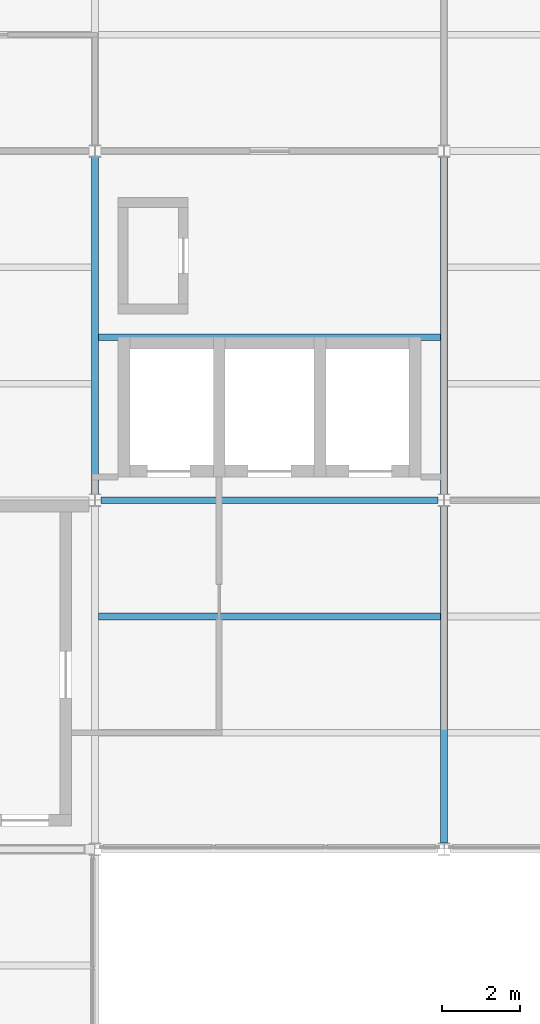
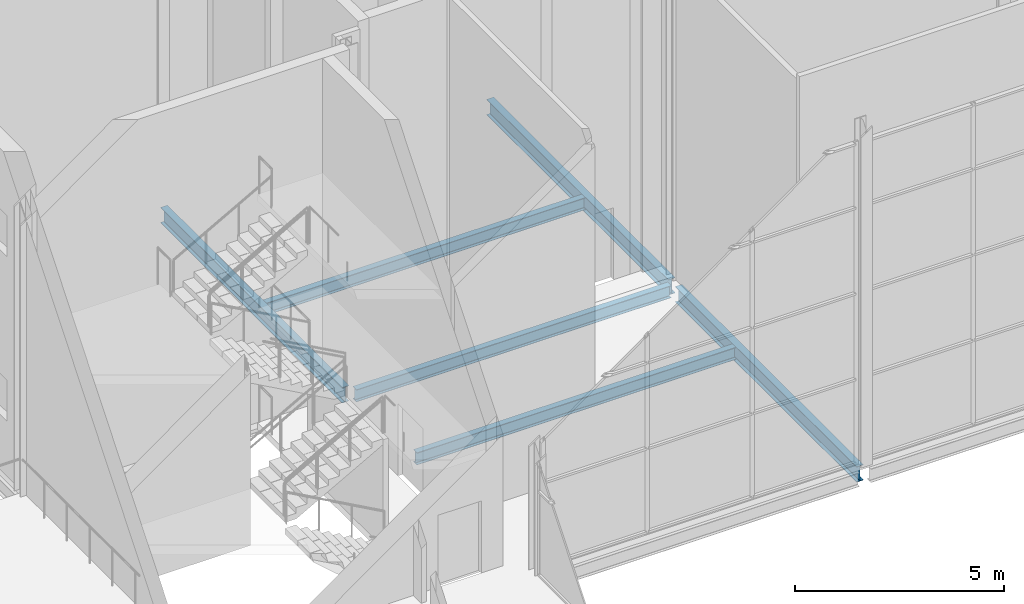
# One storey, part 43 of 111: 6 beams.
"""IFC4 building model written with IfcOpenShell, lengths in metres."""

import ifcopenshell
import ifcopenshell.guid

model = None  # the IFC model being written
_history = None  # IfcOwnerHistory: only IFC2X3 demands one
_inside = {}  # id of a spatial element -> (the spatial element, [elements in it])
_under = {}  # id of a project, library or spatial element -> (it, [spatial elements below it])
_declared = {}  # id of a project -> (the project, [libraries it declares])
_typed = {}  # id of a type object -> (the type object, [elements of that type])
_made_of = {}  # id of a material, layer set ... -> (it, [elements and type objects made of it])


def new_model(schema):
    """Start an empty IFC model of exactly this schema.

    Asked for "IFC4X3", IfcOpenShell would pick the latest addendum, in which some entities
    have other attributes; the version numbers below select the first issue.
    IFC2X3 requires an IfcOwnerHistory on every rooted entity: one is made here for all.
    """
    global model, _history
    if schema == "IFC4X3":
        model = ifcopenshell.file(schema_version=(4, 3, 0, 0))
    else:
        model = ifcopenshell.file(schema=schema)
    _inside.clear()
    _under.clear()
    _declared.clear()
    _typed.clear()
    _made_of.clear()
    _history = None
    if model.schema == "IFC2X3":
        org = make("IfcOrganization", Name="unknown")
        user = make(
            "IfcPersonAndOrganization",
            ThePerson=make("IfcPerson", FamilyName="unknown"),
            TheOrganization=org,
        )
        app = make(
            "IfcApplication",
            ApplicationDeveloper=org,
            Version="unknown",
            ApplicationFullName="unknown",
            ApplicationIdentifier="unknown",
        )
        _history = make(
            "IfcOwnerHistory",
            OwningUser=user,
            OwningApplication=app,
            ChangeAction="ADDED",
            CreationDate=0,
        )
    return model


def make(cls, **values):
    """One entity of the class cls with the attributes given. An attribute that is None is left unset."""
    return model.create_entity(
        cls, **{name: value for name, value in values.items() if value is not None}
    )


def rooted(cls, **values):
    """An entity with a GlobalId (a new one), such as an element, a storey or a relation."""
    return make(cls, GlobalId=ifcopenshell.guid.new(), OwnerHistory=_history, **values)


def si_unit(unit_type, name, prefix=None):
    """IfcSIUnit, for example si_unit("LENGTHUNIT", "METRE", prefix="MILLI")."""
    return make("IfcSIUnit", UnitType=unit_type, Prefix=prefix, Name=name)


def assignment(units):
    """IfcUnitAssignment: the units of a project."""
    return None if units is None else make("IfcUnitAssignment", Units=units)


def point(xyz):
    """IfcCartesianPoint."""
    return None if xyz is None else make("IfcCartesianPoint", Coordinates=xyz)


def direction(xyz):
    """IfcDirection."""
    return None if xyz is None else make("IfcDirection", DirectionRatios=xyz)


def frame(location, z_axis=None, x_axis=None):
    """IfcAxis2Placement3D, a coordinate frame: its origin and axes. An axis left out is left unset."""
    return make(
        "IfcAxis2Placement3D",
        Location=point(location),
        Axis=direction(z_axis),
        RefDirection=direction(x_axis),
    )


def frame_2d(location, x_axis=None):
    """IfcAxis2Placement2D, a coordinate frame in the plane: its origin and x axis."""
    return make(
        "IfcAxis2Placement2D", Location=point(location), RefDirection=direction(x_axis)
    )


def origin():
    """The frame at (0, 0, 0) with its axes left unset."""
    return frame((0.0, 0.0, 0.0))


def origin_2d():
    """The frame at (0, 0) in the plane with its x axis left unset."""
    return frame_2d((0.0, 0.0))


def place(relative_to, where):
    """IfcLocalPlacement: puts the frame where relative to a parent placement (None: the world)."""
    return make(
        "IfcLocalPlacement", PlacementRelTo=relative_to, RelativePlacement=where
    )


def context(
    kind, dimensions, precision=None, world=None, true_north=None, identifier=None
):
    """IfcGeometricRepresentationContext, for example the 3D "Model" context."""
    return make(
        "IfcGeometricRepresentationContext",
        ContextIdentifier=identifier,
        ContextType=kind,
        CoordinateSpaceDimension=dimensions,
        Precision=precision,
        WorldCoordinateSystem=world,
        TrueNorth=true_north,
    )


def subcontext(parent, identifier, kind, view, scale=None):
    """IfcGeometricRepresentationSubContext, for example "Body" below "Model"."""
    return make(
        "IfcGeometricRepresentationSubContext",
        ContextIdentifier=identifier,
        ContextType=kind,
        ParentContext=parent,
        TargetScale=scale,
        TargetView=view,
    )


def project(units=None, contexts=None):
    """IfcProject with its units and contexts."""
    return rooted(
        "IfcProject",
        Name="project",
        RepresentationContexts=contexts,
        UnitsInContext=assignment(units),
    )


def spatial(cls, under=None, at=None, **own):
    """A site, building, storey or space (cls), placed at a placement, below another one or the project."""
    s = rooted(cls, ObjectPlacement=at, **own)
    if under is not None:
        _under.setdefault(under.id(), (under, []))[1].append(s)
    return s


def profile(cls, at=None, kind="AREA", **sizes):
    """A parametric profile (cls). Its sizes go by their IFC names, for example OverallWidth=200.0."""
    return make(cls, ProfileType=kind, Position=at, **sizes)


def i_section(**sizes):
    """IfcIShapeProfileDef."""
    return profile("IfcIShapeProfileDef", **sizes)


def extrude(swept, where, along, depth):
    """IfcExtrudedAreaSolid: the profile swept, set in the frame where, extruded along a direction by depth."""
    return make(
        "IfcExtrudedAreaSolid",
        SweptArea=swept,
        Position=where,
        ExtrudedDirection=direction(along),
        Depth=depth,
    )


def shape(context_of_items, identifier, shape_type, items):
    """IfcShapeRepresentation: the items that make up one representation, for example the "Body"."""
    return make(
        "IfcShapeRepresentation",
        ContextOfItems=context_of_items,
        RepresentationIdentifier=identifier,
        RepresentationType=shape_type,
        Items=items,
    )


def material(Name=None, Category=None):
    """IfcMaterial."""
    return make("IfcMaterial", Name=Name, Category=Category)


def material_profile(
    of_material, cross_section, Name=None, Category=None, Priority=None
):
    """IfcMaterialProfile: a cross section and its material."""
    return make(
        "IfcMaterialProfile",
        Name=Name,
        Material=of_material,
        Profile=cross_section,
        Priority=Priority,
        Category=Category,
    )


def profile_set(profiles, Name=None, composite=None):
    """IfcMaterialProfileSet."""
    return make(
        "IfcMaterialProfileSet",
        Name=Name,
        MaterialProfiles=profiles,
        CompositeProfile=composite,
    )


def made_of(thing, what):
    """Note that an element or type object is made of a material, layer set ...; save() writes the relation."""
    if what is not None:
        _made_of.setdefault(what.id(), (what, []))[1].append(thing)
    return thing


def type_object(cls, material=None, **own):
    """A type object (cls), such as IfcWallType, which elements share."""
    return made_of(rooted(cls, **own), material)


def element(
    cls,
    number,
    at=None,
    inside=None,
    cuts=None,
    type_object=None,
    material=None,
    context=None,
    identifier="Body",
    shape_type=None,
    held_by="IfcProductDefinitionShape",
    body=None,
    shapes=None,
    **own,
):
    """One element of the class cls, such as IfcWall. Its Tag is "e" and its number.

    at: its placement. inside: the storey or other place that contains it. cuts: it is an
    opening in that element (IfcRelVoidsElement). A single representation is given by context,
    identifier, shape_type and body (its items); several are given by shapes. held_by: the class
    of the entity that holds the representations. save() writes the other relations.
    """
    e = rooted(cls, Tag="e%d" % number, ObjectPlacement=at, **own)
    if body is not None:
        shapes = [shape(context, identifier, shape_type, body)]
    if shapes is not None:
        e.Representation = make(held_by, Representations=shapes)
    if inside is not None:
        _inside.setdefault(inside.id(), (inside, []))[1].append(e)
    if cuts is not None:
        rooted(
            "IfcRelVoidsElement", RelatingBuildingElement=cuts, RelatedOpeningElement=e
        )
    if type_object is not None:
        _typed.setdefault(type_object.id(), (type_object, []))[1].append(e)
    return made_of(e, material)


def aggregate(whole, parts):
    """IfcRelAggregates: a whole, such as a stair, and the parts it consists of."""
    return rooted("IfcRelAggregates", RelatingObject=whole, RelatedObjects=parts)


def save(model, path):
    """Write the relations noted so far, then the file.

    IfcRelAggregates (storeys below a building ...), IfcRelContainedInSpatialStructure (elements
    in a storey), IfcRelDefinesByType, IfcRelAssociatesMaterial and IfcRelDeclares: one each for
    every whole, place, type object, material and project.
    """
    for whole, parts in _under.values():
        aggregate(whole, parts)
    for where, things in _inside.values():
        rooted(
            "IfcRelContainedInSpatialStructure",
            RelatedElements=things,
            RelatingStructure=where,
        )
    for kind, things in _typed.values():
        rooted("IfcRelDefinesByType", RelatedObjects=things, RelatingType=kind)
    for what, things in _made_of.values():
        rooted("IfcRelAssociatesMaterial", RelatedObjects=things, RelatingMaterial=what)
    for by, libraries in _declared.values():
        rooted("IfcRelDeclares", RelatingContext=by, RelatedDefinitions=libraries)
    model.write(path)


model = new_model("IFC4")

# Units and contexts
model_context = context("Model", 3, precision=1e-05, world=origin(), true_north=direction((0.0, 1.0)))
body_context = subcontext(model_context, "Body", "Model", "MODEL_VIEW")
ifc_project = project(units=[si_unit("LENGTHUNIT", "METRE"), si_unit("AREAUNIT", "SQUARE_METRE"), si_unit("VOLUMEUNIT", "CUBIC_METRE"), si_unit("PLANEANGLEUNIT", "RADIAN"), si_unit("MASSUNIT", "GRAM", prefix="KILO")], contexts=[model_context])

# Site, building, storey
site_placement = place(None, origin())
site = spatial("IfcSite", under=ifc_project, at=site_placement, CompositionType="ELEMENT")
building_placement = place(site_placement, origin())
building = spatial("IfcBuilding", under=site, at=building_placement, Name="Shorebreak Coast Museum", CompositionType="ELEMENT")
storey_placement = place(building_placement, frame((0.0, 0.0, 16.0)))
storey = spatial("IfcBuildingStorey", under=building, at=storey_placement, Name="L03", CompositionType="ELEMENT", Elevation=16.0)

# Beams
ifc_material_1 = material(Name="Steel Grade 300", Category="steel")
ifc_material_profile_1 = material_profile(ifc_material_1, i_section(OverallWidth=0.1708984375, OverallDepth=0.355712890625, WebThickness=0.00732421875, FlangeThickness=0.011474609375, FilletRadius=0.011474609375, at=origin_2d()), Name="360UB50.7")
ifc_profile_set_1 = profile_set([ifc_material_profile_1], Name="Steel Grade 300")
beam_type_1 = type_object("IfcBeamType", Name="Floor girder east-west 360UB50.7", PredefinedType="BEAM", material=ifc_profile_set_1)
beam_1_placement = place(storey_placement, frame((63.155517578125, 90.0, -0.352783203125), z_axis=(1.0, 0.0, 0.0), x_axis=(0.0, 1.0, 0.0)))
element("IfcBeam", 1, at=beam_1_placement, inside=storey, type_object=beam_type_1, Name="Floor girder east-west L03 8L", PredefinedType="BEAM", context=body_context, shape_type="SweptSolid", body=[
    extrude(i_section(OverallWidth=0.1708984375, OverallDepth=0.355712890625, WebThickness=0.00732421875, FlangeThickness=0.011474609375, FilletRadius=0.011474609375, at=origin_2d()), origin(), (0.0, 0.0, 1.0), 8.68896484375),
])
ifc_material_2 = material(Name="Steel Grade 300", Category="steel")
ifc_material_profile_2 = material_profile(ifc_material_2, i_section(OverallWidth=0.18994140625, OverallDepth=0.453857421875, WebThickness=0.008544921875, FlangeThickness=0.0126953125, FilletRadius=0.011474609375, at=origin_2d()), Name="460UB67.1")
ifc_profile_set_2 = profile_set([ifc_material_profile_2], Name="Steel Grade 300")
beam_type_2 = type_object("IfcBeamType", Name="Floor girder north-south 460UB67.1", PredefinedType="BEAM", material=ifc_profile_set_2)
beam_2_placement = place(storey_placement, frame((72.0, 81.16357421875, -0.40185546875), z_axis=(0.0, 1.0, 0.0), x_axis=(-1.0, 0.0, 0.0)))
element("IfcBeam", 2, at=beam_2_placement, inside=storey, type_object=beam_type_2, Name="Floor girder north-south L03 9K", PredefinedType="BEAM", context=body_context, shape_type="SweptSolid", body=[
    extrude(i_section(OverallWidth=0.18994140625, OverallDepth=0.453857421875, WebThickness=0.008544921875, FlangeThickness=0.0126953125, FilletRadius=0.011474609375, at=origin_2d()), origin(), (0.0, 0.0, 1.0), 8.6728515625),
])
for number, where, z_axis, x_axis, name in (
    (3, (63.0, 90.16357421875, -0.40185546875), (0.0, 1.0, 0.0), (-1.0, 0.0, 0.0), "Floor girder north-south L03 8L"),
    (4, (72.0, 90.16357421875, -0.40185546875), (0.0, 1.0, 0.0), (-1.0, 0.0, 0.0), "Floor girder north-south L03 9L"),
):
    element("IfcBeam", number, at=place(storey_placement, frame(where, z_axis=z_axis, x_axis=x_axis)), inside=storey, type_object=beam_type_2, Name=name, PredefinedType="BEAM", context=body_context, shape_type="SweptSolid", body=[
        extrude(i_section(OverallWidth=0.18994140625, OverallDepth=0.453857421875, WebThickness=0.008544921875, FlangeThickness=0.0126953125, FilletRadius=0.011474609375, at=origin_2d()), origin(), (0.0, 0.0, 1.0), 8.67919921875),
    ])
ifc_material_3 = material(Name="Steel Grade 300", Category="steel")
ifc_material_profile_3 = material_profile(ifc_material_3, i_section(OverallWidth=0.1708984375, OverallDepth=0.355712890625, WebThickness=0.00732421875, FlangeThickness=0.011474609375, FilletRadius=0.011474609375, at=origin_2d()), Name="360UB50.7")
ifc_profile_set_3 = profile_set([ifc_material_profile_3], Name="Steel Grade 300")
beam_type_3 = type_object("IfcBeamType", Name="Floor joist 360UB50.7", PredefinedType="JOIST", material=ifc_profile_set_3)
for number, where, z_axis, x_axis, name in (
    (5, (63.094970703125, 87.0, -0.352783203125), (1.0, 0.0, 0.0), (0.0, 1.0, 0.0), "Floor joist L03 bay 8K at 6000 mm"),
    (6, (63.094970703125, 94.199951171875, -0.352783203125), (1.0, 0.0, 0.0), (0.0, 1.0, 0.0), "Floor joist L03 bay 8L at 4200 mm"),
):
    element("IfcBeam", number, at=place(storey_placement, frame(where, z_axis=z_axis, x_axis=x_axis)), inside=storey, type_object=beam_type_3, Name=name, PredefinedType="JOIST", context=body_context, shape_type="SweptSolid", body=[
        extrude(i_section(OverallWidth=0.1708984375, OverallDepth=0.355712890625, WebThickness=0.00732421875, FlangeThickness=0.011474609375, FilletRadius=0.011474609375, at=origin_2d()), origin(), (0.0, 0.0, 1.0), 8.81005859375),
    ])

save(model, "model.ifc")
